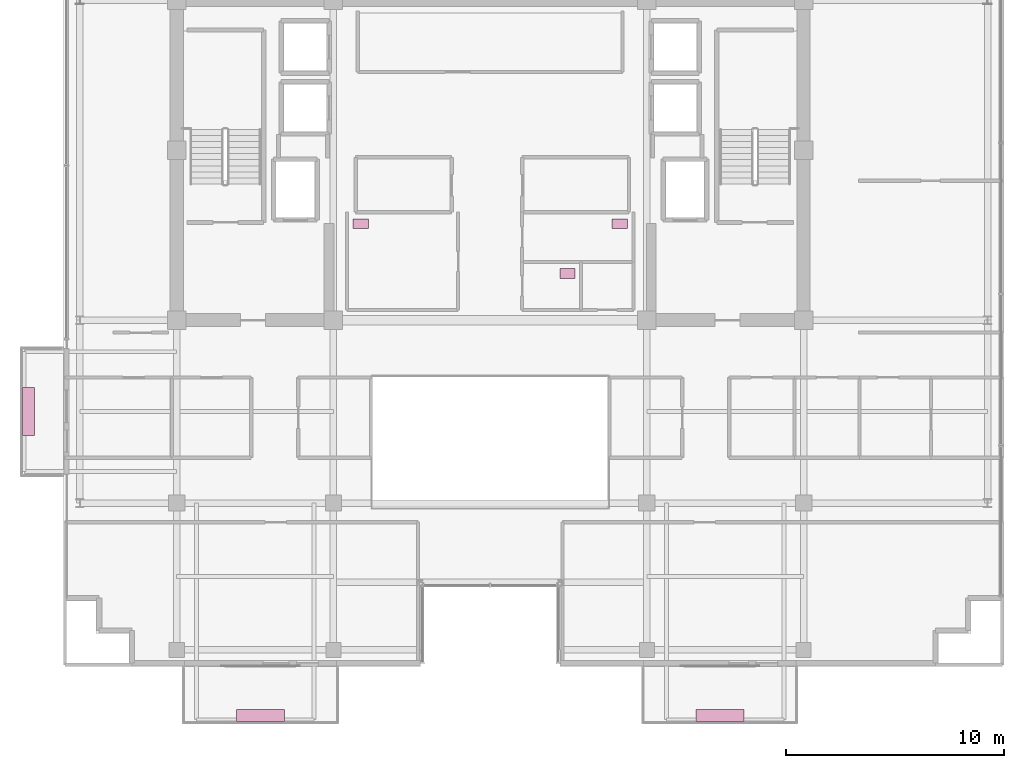
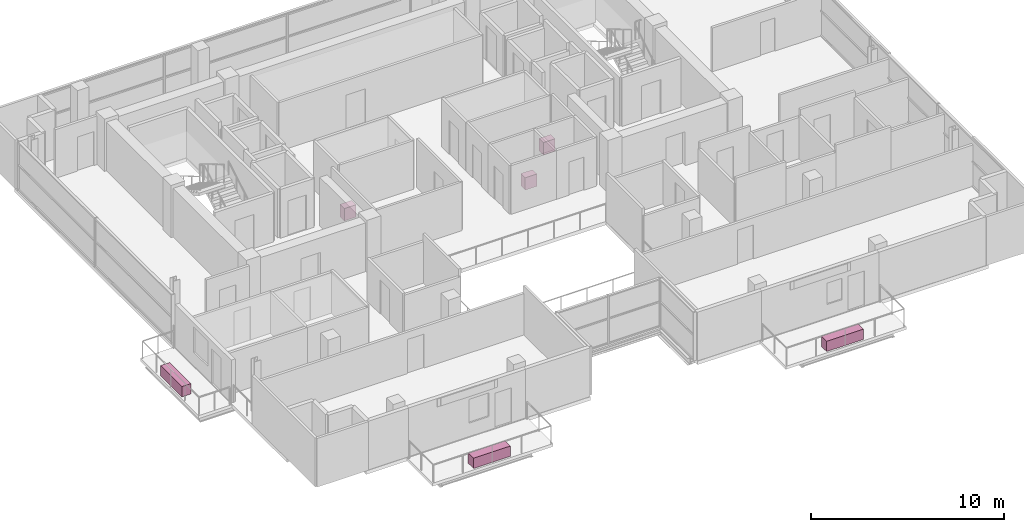
# One storey, part 21 of 21: 6 furnishings.
"""IFC4 building model written with IfcOpenShell, lengths in metres."""

from ifc_helpers import new_model, si_unit, direction, frame, origin, origin_2d, place, context, subcontext, project, spatial, rectangle, extrude, source, transform, mapped, material, type_object, element, save


model = new_model("IFC4")

# Units and contexts
model_context = context("Model", 3, precision=1e-05, world=origin(), true_north=direction((0.0, 1.0)))
body_context = subcontext(model_context, "Body", "Model", "MODEL_VIEW")
ifc_project = project(units=[si_unit("LENGTHUNIT", "METRE"), si_unit("AREAUNIT", "SQUARE_METRE"), si_unit("VOLUMEUNIT", "CUBIC_METRE"), si_unit("PLANEANGLEUNIT", "RADIAN"), si_unit("MASSUNIT", "GRAM", prefix="KILO")], contexts=[model_context])

# Site, building, storey
site_placement = place(None, origin())
site = spatial("IfcSite", under=ifc_project, at=site_placement, CompositionType="ELEMENT")
building_placement = place(site_placement, origin())
building = spatial("IfcBuilding", under=site, at=building_placement, Name="Zarnakvel Exchange Tower", CompositionType="ELEMENT")
storey_placement = place(building_placement, frame((0.0, 0.0, 255.10009765625)))
storey = spatial("IfcBuildingStorey", under=building, at=storey_placement, Name="L72", CompositionType="ELEMENT", Elevation=255.10009765625)

# Furnishings
ifc_material_1 = material(Name="Architectural Bronze Anodised Aluminium", Category="aluminium")
furnishing_element_type_1 = type_object("IfcFurnishingElementType", Name="PLNT-01", material=ifc_material_1)
shared_shape_1 = source(origin(), body_context, "Body", "SweptSolid", [
    extrude(rectangle(XDim=2.199951171875, YDim=0.550048828125, at=origin_2d()), origin(), (0.0, 0.0, 1.0), 0.64990234375),
])
for number, where, z_axis, x_axis, name in (
    (1, (-10.550048828125, -19.3701171875, -0.03515625), (0.0, 0.0, 1.0), (1.0, 0.0, 0.0), "L72 Balcony Greenery Planter BAL-L72-SW"),
    (2, (10.550048828125, -19.3701171875, -0.03515625), (0.0, 0.0, 1.0), (1.0, 0.0, 0.0), "L72 Balcony Greenery Planter BAL-L72-SE"),
    (3, (-21.219970703125, -5.39990234375, -0.03515625), (0.0, 0.0, 1.0), (0.0, 1.0, 0.0), "L72 Balcony Greenery Planter BAL-L72-W"),
):
    element("IfcFurnishingElement", number, at=place(storey_placement, frame(where, z_axis=z_axis, x_axis=x_axis)), inside=storey, type_object=furnishing_element_type_1, Name=name, ObjectType="PLANTER", context=body_context, shape_type="MappedRepresentation", body=[
        mapped(shared_shape_1, transform((0.0, 0.0, 0.0), x_axis=(1.0, 0.0, 0.0), y_axis=(0.0, 1.0, 0.0), z_axis=(0.0, 0.0, 1.0), scale=1.0)),
    ])
ifc_material_2 = material(Name="Vitreous China Sanitaryware", Category="ceramic")
furnishing_element_type_2 = type_object("IfcFurnishingElementType", Name="SAN-WC", material=ifc_material_2)
shared_shape_2 = source(origin(), body_context, "Body", "SweptSolid", [
    extrude(rectangle(XDim=0.699951171875, YDim=0.449951171875, at=origin_2d()), origin(), (0.0, 0.0, 1.0), 0.780029296875),
])
for number, where, z_axis, x_axis, name in (
    (4, (-5.949951171875, 3.22998046875, 0.0), (0.0, 0.0, 1.0), (1.0, 0.0, 0.0), "L72 Sanitary Fixture (Male Toilet)"),
    (5, (5.949951171875, 3.22998046875, 0.0), (0.0, 0.0, 1.0), (1.0, 0.0, 0.0), "L72 Sanitary Fixture (Female Toilet)"),
    (6, (3.550048828125, 0.949951171875, 0.0), (0.0, 0.0, 1.0), (1.0, 0.0, 0.0), "L72 Sanitary Fixture (Accessible Toilet)"),
):
    element("IfcFurnishingElement", number, at=place(storey_placement, frame(where, z_axis=z_axis, x_axis=x_axis)), inside=storey, type_object=furnishing_element_type_2, Name=name, ObjectType="SANITARY_FIXTURE", context=body_context, shape_type="MappedRepresentation", body=[
        mapped(shared_shape_2, transform((0.0, 0.0, 0.0), x_axis=(1.0, 0.0, 0.0), y_axis=(0.0, 1.0, 0.0), z_axis=(0.0, 0.0, 1.0), scale=1.0)),
    ])

save(model, "model.ifc")
